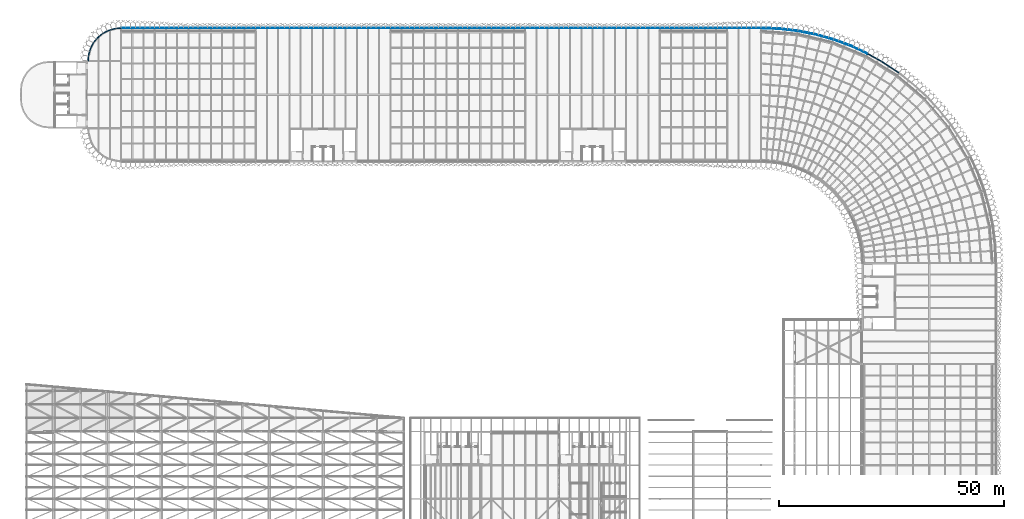
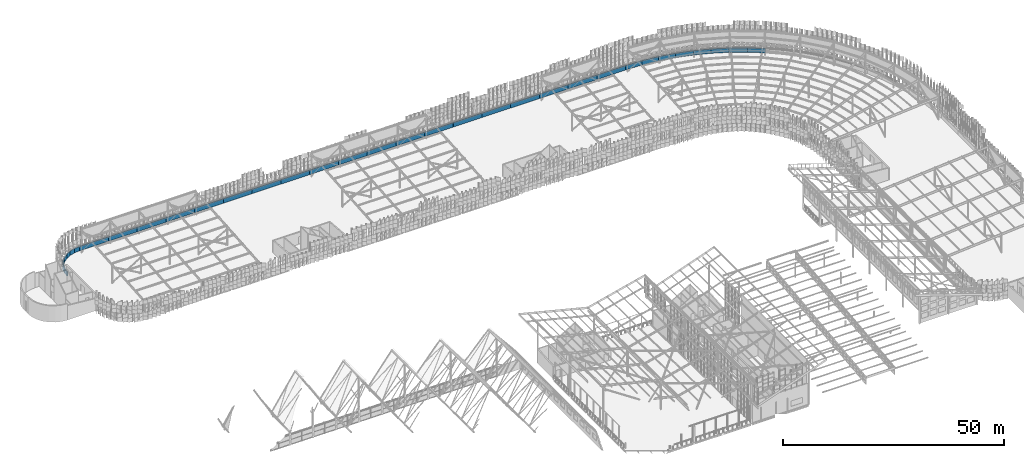
# One storey, part 127 of 483: 35 walls.
"""IFC4 building model written with IfcOpenShell, lengths in metres."""

import ifcopenshell
import ifcopenshell.guid

model = None  # the IFC model being written
_history = None  # IfcOwnerHistory: only IFC2X3 demands one
_inside = {}  # id of a spatial element -> (the spatial element, [elements in it])
_under = {}  # id of a project, library or spatial element -> (it, [spatial elements below it])
_declared = {}  # id of a project -> (the project, [libraries it declares])
_typed = {}  # id of a type object -> (the type object, [elements of that type])
_made_of = {}  # id of a material, layer set ... -> (it, [elements and type objects made of it])


def new_model(schema):
    """Start an empty IFC model of exactly this schema.

    Asked for "IFC4X3", IfcOpenShell would pick the latest addendum, in which some entities
    have other attributes; the version numbers below select the first issue.
    IFC2X3 requires an IfcOwnerHistory on every rooted entity: one is made here for all.
    """
    global model, _history
    if schema == "IFC4X3":
        model = ifcopenshell.file(schema_version=(4, 3, 0, 0))
    else:
        model = ifcopenshell.file(schema=schema)
    _inside.clear()
    _under.clear()
    _declared.clear()
    _typed.clear()
    _made_of.clear()
    _history = None
    if model.schema == "IFC2X3":
        org = make("IfcOrganization", Name="unknown")
        user = make(
            "IfcPersonAndOrganization",
            ThePerson=make("IfcPerson", FamilyName="unknown"),
            TheOrganization=org,
        )
        app = make(
            "IfcApplication",
            ApplicationDeveloper=org,
            Version="unknown",
            ApplicationFullName="unknown",
            ApplicationIdentifier="unknown",
        )
        _history = make(
            "IfcOwnerHistory",
            OwningUser=user,
            OwningApplication=app,
            ChangeAction="ADDED",
            CreationDate=0,
        )
    return model


def make(cls, **values):
    """One entity of the class cls with the attributes given. An attribute that is None is left unset."""
    return model.create_entity(
        cls, **{name: value for name, value in values.items() if value is not None}
    )


def rooted(cls, **values):
    """An entity with a GlobalId (a new one), such as an element, a storey or a relation."""
    return make(cls, GlobalId=ifcopenshell.guid.new(), OwnerHistory=_history, **values)


def si_unit(unit_type, name, prefix=None):
    """IfcSIUnit, for example si_unit("LENGTHUNIT", "METRE", prefix="MILLI")."""
    return make("IfcSIUnit", UnitType=unit_type, Prefix=prefix, Name=name)


def assignment(units):
    """IfcUnitAssignment: the units of a project."""
    return None if units is None else make("IfcUnitAssignment", Units=units)


def point(xyz):
    """IfcCartesianPoint."""
    return None if xyz is None else make("IfcCartesianPoint", Coordinates=xyz)


def direction(xyz):
    """IfcDirection."""
    return None if xyz is None else make("IfcDirection", DirectionRatios=xyz)


def frame(location, z_axis=None, x_axis=None):
    """IfcAxis2Placement3D, a coordinate frame: its origin and axes. An axis left out is left unset."""
    return make(
        "IfcAxis2Placement3D",
        Location=point(location),
        Axis=direction(z_axis),
        RefDirection=direction(x_axis),
    )


def frame_2d(location, x_axis=None):
    """IfcAxis2Placement2D, a coordinate frame in the plane: its origin and x axis."""
    return make(
        "IfcAxis2Placement2D", Location=point(location), RefDirection=direction(x_axis)
    )


def origin():
    """The frame at (0, 0, 0) with its axes left unset."""
    return frame((0.0, 0.0, 0.0))


def place(relative_to, where):
    """IfcLocalPlacement: puts the frame where relative to a parent placement (None: the world)."""
    return make(
        "IfcLocalPlacement", PlacementRelTo=relative_to, RelativePlacement=where
    )


def context(
    kind, dimensions, precision=None, world=None, true_north=None, identifier=None
):
    """IfcGeometricRepresentationContext, for example the 3D "Model" context."""
    return make(
        "IfcGeometricRepresentationContext",
        ContextIdentifier=identifier,
        ContextType=kind,
        CoordinateSpaceDimension=dimensions,
        Precision=precision,
        WorldCoordinateSystem=world,
        TrueNorth=true_north,
    )


def subcontext(parent, identifier, kind, view, scale=None):
    """IfcGeometricRepresentationSubContext, for example "Body" below "Model"."""
    return make(
        "IfcGeometricRepresentationSubContext",
        ContextIdentifier=identifier,
        ContextType=kind,
        ParentContext=parent,
        TargetScale=scale,
        TargetView=view,
    )


def project(units=None, contexts=None):
    """IfcProject with its units and contexts."""
    return rooted(
        "IfcProject",
        Name="project",
        RepresentationContexts=contexts,
        UnitsInContext=assignment(units),
    )


def spatial(cls, under=None, at=None, **own):
    """A site, building, storey or space (cls), placed at a placement, below another one or the project."""
    s = rooted(cls, ObjectPlacement=at, **own)
    if under is not None:
        _under.setdefault(under.id(), (under, []))[1].append(s)
    return s


def profile(cls, at=None, kind="AREA", **sizes):
    """A parametric profile (cls). Its sizes go by their IFC names, for example OverallWidth=200.0."""
    return make(cls, ProfileType=kind, Position=at, **sizes)


def rectangle(**sizes):
    """IfcRectangleProfileDef."""
    return profile("IfcRectangleProfileDef", **sizes)


def extrude(swept, where, along, depth):
    """IfcExtrudedAreaSolid: the profile swept, set in the frame where, extruded along a direction by depth."""
    return make(
        "IfcExtrudedAreaSolid",
        SweptArea=swept,
        Position=where,
        ExtrudedDirection=direction(along),
        Depth=depth,
    )


def shape(context_of_items, identifier, shape_type, items):
    """IfcShapeRepresentation: the items that make up one representation, for example the "Body"."""
    return make(
        "IfcShapeRepresentation",
        ContextOfItems=context_of_items,
        RepresentationIdentifier=identifier,
        RepresentationType=shape_type,
        Items=items,
    )


def material(Name=None, Category=None):
    """IfcMaterial."""
    return make("IfcMaterial", Name=Name, Category=Category)


def layer(
    of_material, thickness, ventilated=None, Name=None, Category=None, Priority=None
):
    """IfcMaterialLayer: one layer of a wall or slab, of a material (None: an air gap)."""
    return make(
        "IfcMaterialLayer",
        Material=of_material,
        LayerThickness=thickness,
        IsVentilated=ventilated,
        Name=Name,
        Category=Category,
        Priority=Priority,
    )


def layer_set(layers, Name=None):
    """IfcMaterialLayerSet."""
    return make("IfcMaterialLayerSet", MaterialLayers=layers, LayerSetName=Name)


def made_of(thing, what):
    """Note that an element or type object is made of a material, layer set ...; save() writes the relation."""
    if what is not None:
        _made_of.setdefault(what.id(), (what, []))[1].append(thing)
    return thing


def type_object(cls, material=None, **own):
    """A type object (cls), such as IfcWallType, which elements share."""
    return made_of(rooted(cls, **own), material)


def element(
    cls,
    number,
    at=None,
    inside=None,
    cuts=None,
    type_object=None,
    material=None,
    context=None,
    identifier="Body",
    shape_type=None,
    held_by="IfcProductDefinitionShape",
    body=None,
    shapes=None,
    **own,
):
    """One element of the class cls, such as IfcWall. Its Tag is "e" and its number.

    at: its placement. inside: the storey or other place that contains it. cuts: it is an
    opening in that element (IfcRelVoidsElement). A single representation is given by context,
    identifier, shape_type and body (its items); several are given by shapes. held_by: the class
    of the entity that holds the representations. save() writes the other relations.
    """
    e = rooted(cls, Tag="e%d" % number, ObjectPlacement=at, **own)
    if body is not None:
        shapes = [shape(context, identifier, shape_type, body)]
    if shapes is not None:
        e.Representation = make(held_by, Representations=shapes)
    if inside is not None:
        _inside.setdefault(inside.id(), (inside, []))[1].append(e)
    if cuts is not None:
        rooted(
            "IfcRelVoidsElement", RelatingBuildingElement=cuts, RelatedOpeningElement=e
        )
    if type_object is not None:
        _typed.setdefault(type_object.id(), (type_object, []))[1].append(e)
    return made_of(e, material)


def aggregate(whole, parts):
    """IfcRelAggregates: a whole, such as a stair, and the parts it consists of."""
    return rooted("IfcRelAggregates", RelatingObject=whole, RelatedObjects=parts)


def save(model, path):
    """Write the relations noted so far, then the file.

    IfcRelAggregates (storeys below a building ...), IfcRelContainedInSpatialStructure (elements
    in a storey), IfcRelDefinesByType, IfcRelAssociatesMaterial and IfcRelDeclares: one each for
    every whole, place, type object, material and project.
    """
    for whole, parts in _under.values():
        aggregate(whole, parts)
    for where, things in _inside.values():
        rooted(
            "IfcRelContainedInSpatialStructure",
            RelatedElements=things,
            RelatingStructure=where,
        )
    for kind, things in _typed.values():
        rooted("IfcRelDefinesByType", RelatedObjects=things, RelatingType=kind)
    for what, things in _made_of.values():
        rooted("IfcRelAssociatesMaterial", RelatedObjects=things, RelatingMaterial=what)
    for by, libraries in _declared.values():
        rooted("IfcRelDeclares", RelatingContext=by, RelatedDefinitions=libraries)
    model.write(path)


model = new_model("IFC4")

# Units and contexts
model_context = context("Model", 3, precision=1e-05, world=origin(), true_north=direction((0.0, 1.0)))
body_context = subcontext(model_context, "Body", "Model", "MODEL_VIEW")
ifc_project = project(units=[si_unit("LENGTHUNIT", "METRE"), si_unit("AREAUNIT", "SQUARE_METRE"), si_unit("VOLUMEUNIT", "CUBIC_METRE"), si_unit("PLANEANGLEUNIT", "RADIAN"), si_unit("MASSUNIT", "GRAM", prefix="KILO")], contexts=[model_context])

# Site, building, storey
site_placement = place(None, origin())
site = spatial("IfcSite", under=ifc_project, at=site_placement, CompositionType="ELEMENT")
building_placement = place(site_placement, origin())
building = spatial("IfcBuilding", under=site, at=building_placement, Name="Parallax Yard Mobility Hub", CompositionType="ELEMENT")
storey_placement = place(building_placement, frame((0.0, 0.0, 13.199951171875)))
storey = spatial("IfcBuildingStorey", under=building, at=storey_placement, Name="L04", CompositionType="ELEMENT", Elevation=13.199951171875)

# Walls
ifc_material = material(Name="Concrete fc' 35 MPa", Category="concrete")
ifc_layer = layer(ifc_material, 0.199951171875)
ifc_layer_set = layer_set([ifc_layer], Name="Roof parapet wall, Concrete fc' 35 MPa precast, 200")
wall_type = type_object("IfcWallType", Name="Roof parapet wall, Concrete fc' 35 MPa precast, 200", PredefinedType="SOLIDWALL", material=ifc_layer_set)
wall_1_placement = place(storey_placement, frame((203.269287109375, 132.357421875, 0.0), z_axis=(0.0, 0.0, 1.0), x_axis=(-0.83199534315, 0.554782614163, 0.0)))
element("IfcWall", 1, at=wall_1_placement, inside=storey, type_object=wall_type, Name="Roof parapet wall bay 47-1 level L04", PredefinedType="SOLIDWALL", context=body_context, shape_type="SweptSolid", body=[
    extrude(rectangle(XDim=4.101318359375, YDim=0.199951171875, at=frame_2d((2.05078125, 0.0))), origin(), (0.0, 0.0, 1.0), 1.199951171875),
])
wall_2_placement = place(storey_placement, frame((199.84814453125, 134.63818359375, 0.0), z_axis=(0.0, 0.0, 1.0), x_axis=(-0.872687646512, 0.488278887139, 0.0)))
element("IfcWall", 2, at=wall_2_placement, inside=storey, type_object=wall_type, Name="Roof parapet wall bay 47-2 level L04", PredefinedType="SOLIDWALL", context=body_context, shape_type="SweptSolid", body=[
    extrude(rectangle(XDim=4.1015625, YDim=0.199951171875, at=frame_2d((2.05078125, 0.0))), origin(), (0.0, 0.0, 1.0), 1.199951171875),
])
wall_3_placement = place(storey_placement, frame((196.261474609375, 136.644775390625, 0.0), z_axis=(0.0, 0.0, 1.0), x_axis=(-0.908013393221, 0.418941138742, 0.0)))
element("IfcWall", 3, at=wall_3_placement, inside=storey, type_object=wall_type, Name="Roof parapet wall bay 48-1 level L04", PredefinedType="SOLIDWALL", context=body_context, shape_type="SweptSolid", body=[
    extrude(rectangle(XDim=4.100830078125, YDim=0.199951171875, at=frame_2d((2.05029296875, 0.0))), origin(), (0.0, 0.0, 1.0), 1.199951171875),
])
wall_4_placement = place(storey_placement, frame((192.5283203125, 138.366943359375, 0.0), z_axis=(0.0, 0.0, 1.0), x_axis=(-0.937861455193, 0.347009929054, 0.0)))
element("IfcWall", 4, at=wall_4_placement, inside=storey, type_object=wall_type, Name="Roof parapet wall bay 48-2 level L04", PredefinedType="SOLIDWALL", context=body_context, shape_type="SweptSolid", body=[
    extrude(rectangle(XDim=4.10107421875, YDim=0.199951171875, at=frame_2d((2.050537109375, 0.0))), origin(), (0.0, 0.0, 1.0), 1.199951171875),
])
wall_5_placement = place(storey_placement, frame((188.67431640625, 139.79248046875, 0.0), z_axis=(0.0, 0.0, 1.0), x_axis=(-0.962703286137, 0.270559388789, 0.0)))
element("IfcWall", 5, at=wall_5_placement, inside=storey, type_object=wall_type, Name="Roof parapet wall bay 49-1 level L04", PredefinedType="SOLIDWALL", context=body_context, shape_type="SweptSolid", body=[
    extrude(rectangle(XDim=4.101318359375, YDim=0.199951171875, at=frame_2d((2.05078125, 0.0))), origin(), (0.0, 0.0, 1.0), 1.199951171875),
])
wall_6_placement = place(storey_placement, frame((184.7158203125, 140.904296875, 0.0), z_axis=(0.0, 0.0, 1.0), x_axis=(-0.980840861337, 0.194810689468, 0.0)))
element("IfcWall", 6, at=wall_6_placement, inside=storey, type_object=wall_type, Name="Roof parapet wall bay 49-2 level L04", PredefinedType="SOLIDWALL", context=body_context, shape_type="SweptSolid", body=[
    extrude(rectangle(XDim=4.1005859375, YDim=0.199951171875, at=frame_2d((2.05029296875, 0.0))), origin(), (0.0, 0.0, 1.0), 1.199951171875),
])
wall_7_placement = place(storey_placement, frame((180.68505859375, 141.704345703125, 0.0), z_axis=(0.0, 0.0, 1.0), x_axis=(-0.993022836272, 0.11792220589, 0.0)))
element("IfcWall", 7, at=wall_7_placement, inside=storey, type_object=wall_type, Name="Roof parapet wall bay 50-1 level L04", PredefinedType="SOLIDWALL", context=body_context, shape_type="SweptSolid", body=[
    extrude(rectangle(XDim=4.101318359375, YDim=0.199951171875, at=frame_2d((2.05078125, 0.0))), origin(), (0.0, 0.0, 1.0), 1.199951171875),
])
wall_8_placement = place(storey_placement, frame((176.60205078125, 142.188720703125, 0.0), z_axis=(0.0, 0.0, 1.0), x_axis=(-0.999191621832, 0.040200781833, 0.0)))
element("IfcWall", 8, at=wall_8_placement, inside=storey, type_object=wall_type, Name="Roof parapet wall bay 50-2 level L04", PredefinedType="SOLIDWALL", context=body_context, shape_type="SweptSolid", body=[
    extrude(rectangle(XDim=4.10546875, YDim=0.199951171875, at=frame_2d((2.052734375, 0.0))), origin(), (0.0, 0.0, 1.0), 1.199951171875),
])
wall_9_placement = place(storey_placement, frame((172.49365234375, 142.35400390625, 0.0), z_axis=(0.0, 0.0, 1.0), x_axis=(-1.0, 0.0, 0.0)))
element("IfcWall", 9, at=wall_9_placement, inside=storey, type_object=wall_type, Name="Roof parapet wall bay 51 level L04", PredefinedType="SOLIDWALL", context=body_context, shape_type="SweptSolid", body=[
    extrude(rectangle(XDim=7.491943359375, YDim=0.199951171875, at=frame_2d((3.74609375, 0.0))), origin(), (0.0, 0.0, 1.0), 1.199951171875),
])
for number, where, z_axis, x_axis, name in (
    (10, (164.997802734375, 142.35400390625, 0.0), (0.0, 0.0, 1.0), (-1.0, 0.0, 0.0), "Roof parapet wall bay 52 level L04"),
    (11, (157.497802734375, 142.35400390625, 0.0), (0.0, 0.0, 1.0), (-1.0, 0.0, 0.0), "Roof parapet wall bay 53 level L04"),
    (12, (149.997802734375, 142.35400390625, 0.0), (0.0, 0.0, 1.0), (-1.0, 0.0, 0.0), "Roof parapet wall bay 54 level L04"),
    (13, (142.497802734375, 142.35400390625, 0.0), (0.0, 0.0, 1.0), (-1.0, 0.0, 0.0), "Roof parapet wall bay 55 level L04"),
    (14, (134.997802734375, 142.35400390625, 0.0), (0.0, 0.0, 1.0), (-1.0, 0.0, 0.0), "Roof parapet wall bay 56 level L04"),
    (15, (127.497802734375, 142.35400390625, 0.0), (0.0, 0.0, 1.0), (-1.0, 0.0, 0.0), "Roof parapet wall bay 57 level L04"),
    (16, (119.997802734375, 142.35400390625, 0.0), (0.0, 0.0, 1.0), (-1.0, 0.0, 0.0), "Roof parapet wall bay 58 level L04"),
    (17, (112.497802734375, 142.35400390625, 0.0), (0.0, 0.0, 1.0), (-1.0, 0.0, 0.0), "Roof parapet wall bay 59 level L04"),
    (18, (104.997802734375, 142.35400390625, 0.0), (0.0, 0.0, 1.0), (-1.0, 0.0, 0.0), "Roof parapet wall bay 60 level L04"),
    (19, (97.497802734375, 142.35400390625, 0.0), (0.0, 0.0, 1.0), (-1.0, 0.0, 0.0), "Roof parapet wall bay 61 level L04"),
    (20, (89.997802734375, 142.35400390625, 0.0), (0.0, 0.0, 1.0), (-1.0, 0.0, 0.0), "Roof parapet wall bay 62 level L04"),
    (21, (82.497802734375, 142.35400390625, 0.0), (0.0, 0.0, 1.0), (-1.0, 0.0, 0.0), "Roof parapet wall bay 63 level L04"),
    (22, (74.997802734375, 142.35400390625, 0.0), (0.0, 0.0, 1.0), (-1.0, 0.0, 0.0), "Roof parapet wall bay 64 level L04"),
    (23, (67.497802734375, 142.35400390625, 0.0), (0.0, 0.0, 1.0), (-1.0, 0.0, 0.0), "Roof parapet wall bay 65 level L04"),
    (24, (59.997802734375, 142.35400390625, 0.0), (0.0, 0.0, 1.0), (-1.0, 0.0, 0.0), "Roof parapet wall bay 66 level L04"),
    (25, (52.497802734375, 142.35400390625, 0.0), (0.0, 0.0, 1.0), (-1.0, 0.0, 0.0), "Roof parapet wall bay 67 level L04"),
    (26, (44.997802734375, 142.35400390625, 0.0), (0.0, 0.0, 1.0), (-1.0, 0.0, 0.0), "Roof parapet wall bay 68 level L04"),
):
    element("IfcWall", number, at=place(storey_placement, frame(where, z_axis=z_axis, x_axis=x_axis)), inside=storey, type_object=wall_type, Name=name, PredefinedType="SOLIDWALL", context=body_context, shape_type="SweptSolid", body=[
        extrude(rectangle(XDim=7.49609375, YDim=0.199951171875, at=frame_2d((3.748046875, 0.0))), origin(), (0.0, 0.0, 1.0), 1.199951171875),
    ])
wall_10_placement = place(storey_placement, frame((37.497802734375, 142.35400390625, 0.0), z_axis=(0.0, 0.0, 1.0), x_axis=(-1.0, 0.0, 0.0)))
element("IfcWall", 27, at=wall_10_placement, inside=storey, type_object=wall_type, Name="Roof parapet wall bay 69 level L04", PredefinedType="SOLIDWALL", context=body_context, shape_type="SweptSolid", body=[
    extrude(rectangle(XDim=7.486083984375, YDim=0.199951171875, at=frame_2d((3.7431640625, 0.0))), origin(), (0.0, 0.0, 1.0), 1.199951171875),
])
wall_11_placement = place(storey_placement, frame((30.001953125, 142.353515625, 0.0), z_axis=(0.0, 0.0, 1.0), x_axis=(-0.995191413557, -0.097949223488, 0.0)))
element("IfcWall", 28, at=wall_11_placement, inside=storey, type_object=wall_type, Name="Roof parapet wall bay 70-1 level L04", PredefinedType="SOLIDWALL", context=body_context, shape_type="SweptSolid", body=[
    extrude(rectangle(XDim=1.4306640625, YDim=0.199951171875, at=frame_2d((0.71533203125, 0.0))), origin(), (0.0, 0.0, 1.0), 1.199951171875),
])
wall_12_placement = place(storey_placement, frame((28.553955078125, 142.20849609375, 0.0), z_axis=(0.0, 0.0, 1.0), x_axis=(-0.956967829138, -0.290194028187, 0.0)))
element("IfcWall", 29, at=wall_12_placement, inside=storey, type_object=wall_type, Name="Roof parapet wall bay 70-2 level L04", PredefinedType="SOLIDWALL", context=body_context, shape_type="SweptSolid", body=[
    extrude(rectangle(XDim=1.416015625, YDim=0.199951171875, at=frame_2d((0.7080078125, 0.0))), origin(), (0.0, 0.0, 1.0), 1.199951171875),
])
wall_13_placement = place(storey_placement, frame((27.176025390625, 141.7880859375, 0.0), z_axis=(0.0, 0.0, 1.0), x_axis=(-0.881961322467, -0.471321785697, 0.0)))
element("IfcWall", 30, at=wall_13_placement, inside=storey, type_object=wall_type, Name="Roof parapet wall bay 70-3 level L04", PredefinedType="SOLIDWALL", context=body_context, shape_type="SweptSolid", body=[
    extrude(rectangle(XDim=1.416259765625, YDim=0.199951171875, at=frame_2d((0.7080078125, 0.0))), origin(), (0.0, 0.0, 1.0), 1.199951171875),
])
for number, where, z_axis, x_axis, name in (
    (31, (25.906494140625, 141.10693359375, 0.0), (0.0, 0.0, 1.0), (-0.773173092152, -0.634195056408, 0.0), "Roof parapet wall bay 70-4 level L04"),
    (32, (24.794189453125, 140.19140625, 0.0), (0.0, 0.0, 1.0), (-0.634570253857, -0.772865184181, 0.0), "Roof parapet wall bay 70-5 level L04"),
    (33, (23.8818359375, 139.076416015625, 0.0), (0.0, 0.0, 1.0), (-0.471599243941, -0.881812992144, 0.0), "Roof parapet wall bay 70-6 level L04"),
):
    element("IfcWall", number, at=place(storey_placement, frame(where, z_axis=z_axis, x_axis=x_axis)), inside=storey, type_object=wall_type, Name=name, PredefinedType="SOLIDWALL", context=body_context, shape_type="SweptSolid", body=[
        extrude(rectangle(XDim=1.415771484375, YDim=0.199951171875, at=frame_2d((0.7080078125, 0.0))), origin(), (0.0, 0.0, 1.0), 1.199951171875),
    ])
wall_14_placement = place(storey_placement, frame((23.20458984375, 137.80517578125, 0.0), z_axis=(0.0, 0.0, 1.0), x_axis=(-0.290873439538, -0.956761538823, 0.0)))
element("IfcWall", 34, at=wall_14_placement, inside=storey, type_object=wall_type, Name="Roof parapet wall bay 70-7 level L04", PredefinedType="SOLIDWALL", context=body_context, shape_type="SweptSolid", body=[
    extrude(rectangle(XDim=1.416015625, YDim=0.199951171875, at=frame_2d((0.7080078125, 0.0))), origin(), (0.0, 0.0, 1.0), 1.199951171875),
])
wall_15_placement = place(storey_placement, frame((22.7880859375, 136.426025390625, 0.0), z_axis=(0.0, 0.0, 1.0), x_axis=(-0.098665870876, -0.995120618782, 0.0)))
element("IfcWall", 35, at=wall_15_placement, inside=storey, type_object=wall_type, Name="Roof parapet wall bay 70-8 level L04", PredefinedType="SOLIDWALL", context=body_context, shape_type="SweptSolid", body=[
    extrude(rectangle(XDim=1.442626953125, YDim=0.199951171875, at=frame_2d((0.72119140625, 0.0))), origin(), (0.0, 0.0, 1.0), 1.199951171875),
])

save(model, "model.ifc")
